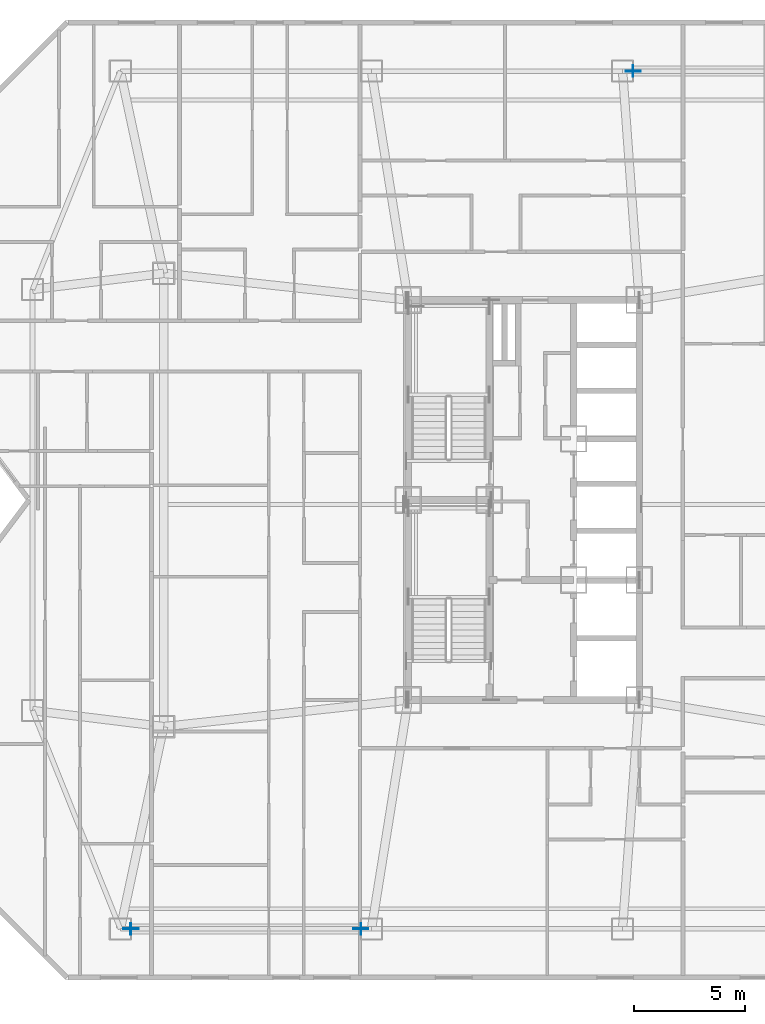
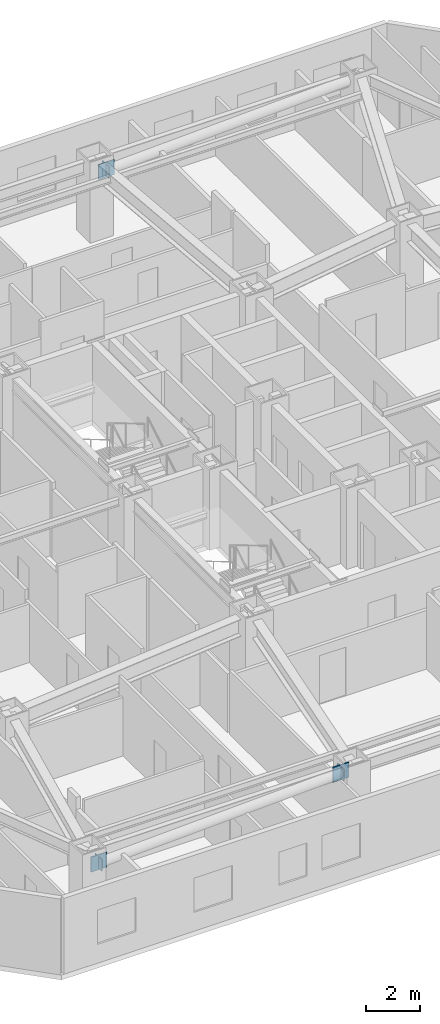
# One storey, part 3 of 12: 6 plates.
"""IFC4 building model written with IfcOpenShell, lengths in metres."""

from ifc_helpers import new_model, si_unit, direction, frame, origin, origin_2d, place, context, subcontext, project, spatial, rectangle, extrude, material, layer, layer_set, type_object, element, save


model = new_model("IFC4")

# Units and contexts
model_context = context("Model", 3, precision=1e-05, world=origin(), true_north=direction((0.0, 1.0)))
body_context = subcontext(model_context, "Body", "Model", "MODEL_VIEW")
ifc_project = project(units=[si_unit("LENGTHUNIT", "METRE"), si_unit("AREAUNIT", "SQUARE_METRE"), si_unit("VOLUMEUNIT", "CUBIC_METRE"), si_unit("PLANEANGLEUNIT", "RADIAN"), si_unit("MASSUNIT", "GRAM", prefix="KILO")], contexts=[model_context])

# Site, building, storey
site_placement = place(None, origin())
site = spatial("IfcSite", under=ifc_project, at=site_placement, CompositionType="ELEMENT")
building_placement = place(site_placement, origin())
building = spatial("IfcBuilding", under=site, at=building_placement, Name="Khamvora Tower", CompositionType="ELEMENT")
storey_placement = place(building_placement, frame((0.0, 0.0, 127.449951171875)))
storey = spatial("IfcBuildingStorey", under=building, at=storey_placement, Name="L32", CompositionType="ELEMENT", Elevation=127.449951171875)

# Plates
ifc_material_1 = material(Name="Steel S355", Category="steel")
ifc_layer_1 = layer(ifc_material_1, 0.02490234375)
ifc_layer_set_1 = layer_set([ifc_layer_1], Name="Steel S355")
plate_type_1 = type_object("IfcPlateType", Name="PL-CAP-25", PredefinedType="SHEET", material=ifc_layer_set_1)
for number, where, z_axis, x_axis, name in (
    (1, (16.51806640625, 8.699951171875, 2.4404296875), (0.0, 0.0, 1.0), (1.0, 0.0, 0.0), "L32 hollow section steel end cap plate 0772"),
    (2, (26.882080078125, 8.699951171875, 2.884521484375), (0.0, 0.0, 1.0), (1.0, 0.0, 0.0), "L32 hollow section steel end cap plate 0773"),
    (3, (39.117919921875, 47.300048828125, 2.4404296875), (0.0, 0.0, 1.0), (1.0, 0.0, 0.0), "L32 hollow section steel end cap plate 0774"),
):
    element("IfcPlate", number, at=place(storey_placement, frame(where, z_axis=z_axis, x_axis=x_axis)), inside=storey, type_object=plate_type_1, Name=name, PredefinedType="SHEET", context=body_context, shape_type="SweptSolid", body=[
        extrude(rectangle(XDim=0.02490234375, YDim=0.51708984375, at=origin_2d()), origin(), (0.0, 0.0, 1.0), 0.51708984375),
    ])
ifc_material_2 = material(Name="Steel S460", Category="steel")
ifc_layer_2 = layer(ifc_material_2, 0.0400390625)
ifc_layer_set_2 = layer_set([ifc_layer_2], Name="Steel S460")
plate_type_2 = type_object("IfcPlateType", Name="PLT-GUS-40", PredefinedType="SHEET", material=ifc_layer_set_2)
for number, where, z_axis, x_axis, name in (
    (4, (16.530029296875, 8.699951171875, 2.35986328125), (0.0, 0.0, 1.0), (1.0, 0.0, 0.0), "L32 brace connection node gusset plate 0205"),
    (5, (26.8701171875, 8.699951171875, 2.80224609375), (0.0, 0.0, 1.0), (1.0, 0.0, 0.0), "L32 brace connection node gusset plate 0206"),
    (6, (39.1298828125, 47.300048828125, 2.35986328125), (0.0, 0.0, 1.0), (1.0, 0.0, 0.0), "L32 brace connection node gusset plate 0207"),
):
    element("IfcPlate", number, at=place(storey_placement, frame(where, z_axis=z_axis, x_axis=x_axis)), inside=storey, type_object=plate_type_2, Name=name, PredefinedType="SHEET", context=body_context, shape_type="SweptSolid", body=[
        extrude(rectangle(XDim=0.679931640625, YDim=0.0400390625, at=origin_2d()), origin(), (0.0, 0.0, 1.0), 0.679931640625),
    ])

save(model, "model.ifc")
